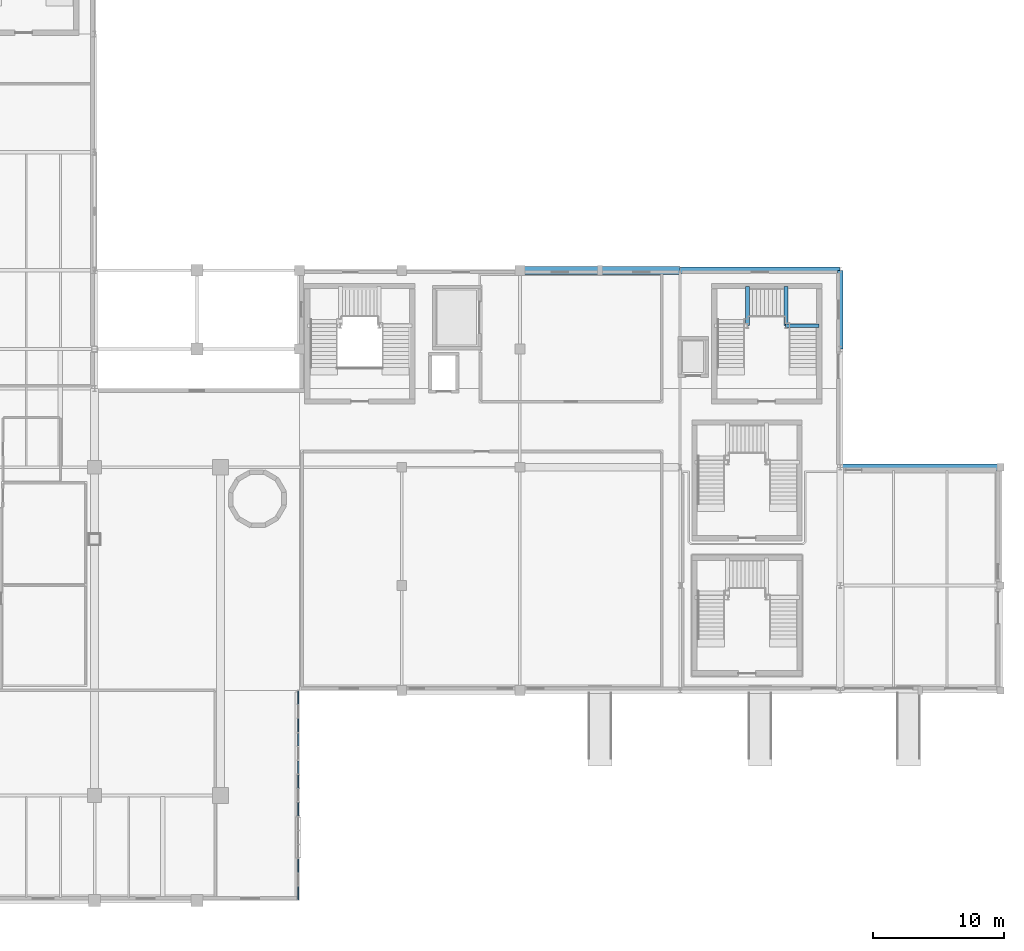
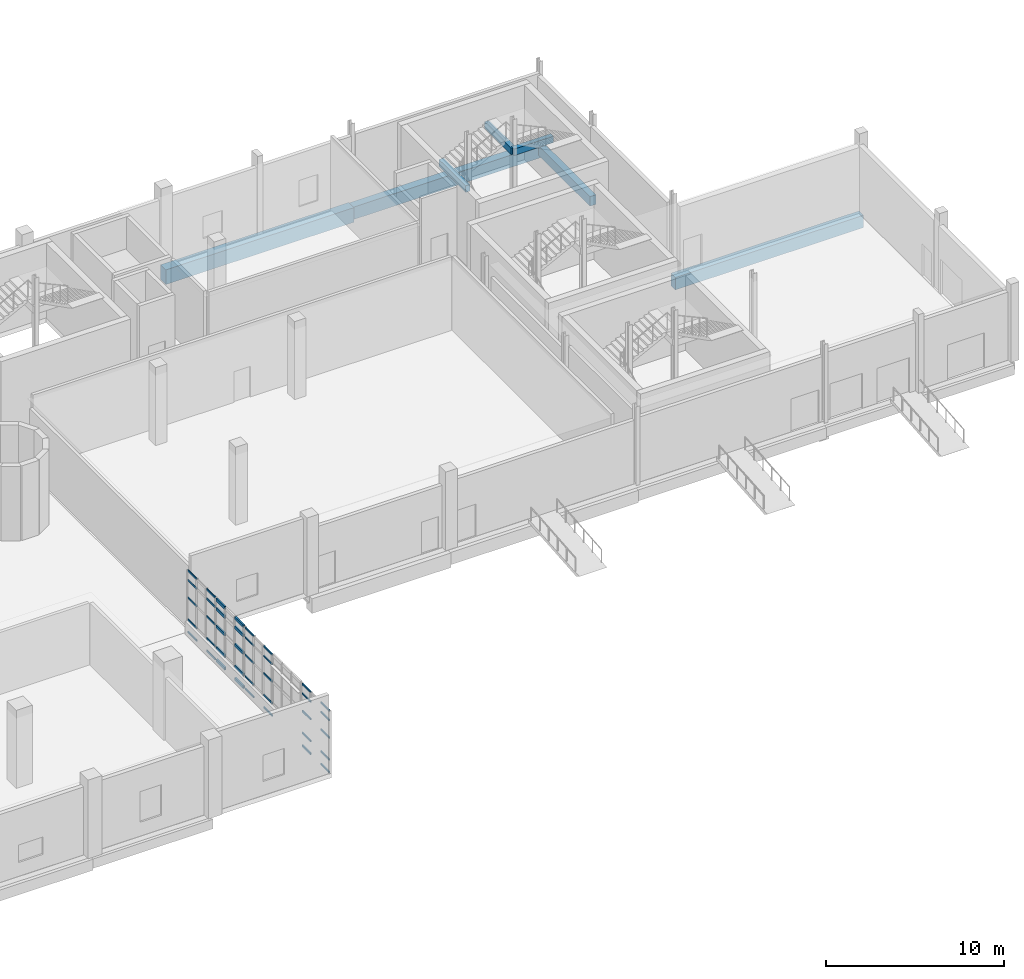
# One storey, part 29 of 57: 40 members, 7 beams, 4 elements without a shape of their own.
"""IFC4 building model written with IfcOpenShell, lengths in metres."""

from ifc_helpers import new_model, si_unit, derived_unit, direction, frame, origin, origin_2d, place, context, subcontext, project, spatial, rectangle, hollow_rectangle, extrude, material, layer, layer_set, material_profile, profile_set, type_object, element, aggregate, save


model = new_model("IFC4")

# Units and contexts
model_context = context("Model", 3, precision=1e-05, world=origin(), true_north=direction((0.0, 1.0)))
body_context = subcontext(model_context, "Body", "Model", "MODEL_VIEW")
ifc_project = project(units=[si_unit("LENGTHUNIT", "METRE"), si_unit("AREAUNIT", "SQUARE_METRE"), si_unit("VOLUMEUNIT", "CUBIC_METRE"), si_unit("PLANEANGLEUNIT", "RADIAN"), si_unit("MASSUNIT", "GRAM", prefix="KILO"), derived_unit("THERMALTRANSMITTANCEUNIT", [(si_unit("POWERUNIT", "WATT"), 1), (si_unit("LENGTHUNIT", "METRE"), -2), (si_unit("THERMODYNAMICTEMPERATUREUNIT", "KELVIN"), -1)])], contexts=[model_context])

# Site, building, storey
site_placement = place(None, origin())
site = spatial("IfcSite", under=ifc_project, at=site_placement, CompositionType="ELEMENT")
building_placement = place(site_placement, origin())
building = spatial("IfcBuilding", under=site, at=building_placement, Name="Nallur Shell Playhouse", CompositionType="ELEMENT")
storey_placement = place(building_placement, origin())
storey = spatial("IfcBuildingStorey", under=building, at=storey_placement, Name="L01", CompositionType="ELEMENT", Elevation=0.0)

# Beams
ifc_material_1 = material(Name="Concrete M35", Category="concrete")
ifc_material_profile_1 = material_profile(ifc_material_1, rectangle(XDim=0.39990234375, YDim=0.64990234375, at=origin_2d()), Name="RC 400x650")
ifc_profile_set_1 = profile_set([ifc_material_profile_1], Name="Concrete M35")
beam_type_1 = type_object("IfcBeamType", Name="BM-RC-400x650", PredefinedType="BEAM", material=ifc_profile_set_1)
beam_1_placement = place(storey_placement, frame((159.800048828125, 50.0, -0.64501953125), z_axis=(0.0, 1.0, 0.0), x_axis=(-1.0, 0.0, 0.0)))
element("IfcBeam", 1, at=beam_1_placement, inside=storey, type_object=beam_type_1, Name="L01 girder Y-19-175", PredefinedType="BEAM", context=body_context, shape_type="SweptSolid", body=[
    extrude(rectangle(XDim=0.39990234375, YDim=0.64990234375, at=origin_2d()), origin(), (0.0, 0.0, 1.0), 6.0),
])
ifc_material_2 = material(Name="Concrete M40", Category="concrete")
ifc_material_profile_2 = material_profile(ifc_material_2, rectangle(XDim=0.5, YDim=0.85009765625, at=origin_2d()), Name="RC 500x850")
ifc_profile_set_2 = profile_set([ifc_material_profile_2], Name="Concrete M40")
beam_type_2 = type_object("IfcBeamType", Name="BM-RC-500x850", PredefinedType="BEAM", material=ifc_profile_set_2)
for number, where, z_axis, x_axis, name in (
    (2, (159.800048828125, 41.0, -0.7451171875), (1.0, 0.0, 0.0), (0.0, 1.0, 0.0), "L01 girder X-E-45"),
    (3, (147.60009765625, 56.0, -0.7451171875), (1.0, 0.0, 0.0), (0.0, 1.0, 0.0), "L01 girder X-G-61"),
):
    element("IfcBeam", number, at=place(storey_placement, frame(where, z_axis=z_axis, x_axis=x_axis)), inside=storey, type_object=beam_type_2, Name=name, PredefinedType="BEAM", context=body_context, shape_type="SweptSolid", body=[
        extrude(rectangle(XDim=0.5, YDim=0.85009765625, at=origin_2d()), origin(), (0.0, 0.0, 1.0), 12.199951171875),
    ])
ifc_material_profile_3 = material_profile(ifc_material_2, rectangle(XDim=0.60009765625, YDim=1.0, at=origin_2d()), Name="RC 600x1000")
ifc_profile_set_3 = profile_set([ifc_material_profile_3], Name="Concrete M40")
beam_type_3 = type_object("IfcBeamType", Name="BM-RC-600x1000", PredefinedType="BEAM", material=ifc_profile_set_3)
beam_2_placement = place(storey_placement, frame((135.39990234375, 56.0, -0.820068359375), z_axis=(1.0, 0.0, 0.0), x_axis=(0.0, 1.0, 0.0)))
element("IfcBeam", 4, at=beam_2_placement, inside=storey, type_object=beam_type_3, Name="L01 girder X-G-60", PredefinedType="BEAM", context=body_context, shape_type="SweptSolid", body=[
    extrude(rectangle(XDim=0.60009765625, YDim=1.0, at=origin_2d()), origin(), (0.0, 0.0, 1.0), 12.2001953125),
])
ifc_material_profile_4 = material_profile(ifc_material_1, rectangle(XDim=0.300048828125, YDim=0.449951171875, at=origin_2d()), Name="RC 300x450")
ifc_profile_set_4 = profile_set([ifc_material_profile_4], Name="Concrete M35")
beam_type_4 = type_object("IfcBeamType", Name="BM-SPN-300x450", PredefinedType="SPANDREL", material=ifc_profile_set_4)
beam_3_placement = place(storey_placement, frame((152.719970703125, 51.780029296875, 1.580810546875), z_axis=(0.0, 1.0, 0.0), x_axis=(-1.0, 0.0, 0.0)))
element("IfcBeam", 5, at=beam_3_placement, inside=storey, type_object=beam_type_4, Name="Stair ST-05-L01 L1 east bearer beam", PredefinedType="SPANDREL", context=body_context, shape_type="SweptSolid", body=[
    extrude(rectangle(XDim=0.300048828125, YDim=0.449951171875, at=origin_2d()), origin(), (0.0, 0.0, 1.0), 3.0),
])
beam_4_placement = place(storey_placement, frame((155.6201171875, 51.780029296875, 3.12353515625), z_axis=(1.0, 0.0, 0.0), x_axis=(0.0, 1.0, 0.0)))
element("IfcBeam", 6, at=beam_4_placement, inside=storey, type_object=beam_type_4, Name="Stair ST-05-L01 L2 south bearer beam", PredefinedType="SPANDREL", context=body_context, shape_type="SweptSolid", body=[
    extrude(rectangle(XDim=0.300048828125, YDim=0.449951171875, at=origin_2d()), origin(), (0.0, 0.0, 1.0), 2.559814453125),
])
beam_5_placement = place(storey_placement, frame((155.679931640625, 51.780029296875, 3.12353515625), z_axis=(0.0, 1.0, 0.0), x_axis=(-1.0, 0.0, 0.0)))
element("IfcBeam", 7, at=beam_5_placement, inside=storey, type_object=beam_type_4, Name="Stair ST-05-L01 L2 west bearer beam", PredefinedType="SPANDREL", context=body_context, shape_type="SweptSolid", body=[
    extrude(rectangle(XDim=0.300048828125, YDim=0.449951171875, at=origin_2d()), origin(), (0.0, 0.0, 1.0), 3.0),
])

# Curtain wall, members
ifc_material_3 = material(Name="Anodised Aluminium Double-Glazed Facade System", Category="aluminium")
ifc_layer_1 = layer(ifc_material_3, 0.1640625)
ifc_layer_set_1 = layer_set([ifc_layer_1], Name="Anodised Aluminium Double-Glazed Facade System")
curtain_wall_type_1 = type_object("IfcCurtainWallType", Name="CW-UNIT-01", PredefinedType="NOTDEFINED", material=ifc_layer_set_1)
curtain_wall_1_placement = place(storey_placement, origin())
curtain_wall_1 = element("IfcCurtainWall", 8, at=curtain_wall_1_placement, inside=storey, type_object=curtain_wall_type_1, Name="Unitised curtain wall CW-001 (L01)", PredefinedType="NOTDEFINED")
ifc_material_4 = material(Name="Aluminium Alloy 6063-T6 Transom", Category="aluminium")
ifc_material_profile_5 = material_profile(ifc_material_4, hollow_rectangle(XDim=0.06494140625, YDim=0.1201171875, WallThickness=0.00390625, at=origin_2d()), Name="ALU 65x120x4")
ifc_profile_set_5 = profile_set([ifc_material_profile_5], Name="Aluminium Alloy 6063-T6 Transom")
member_type_1 = type_object("IfcMemberType", Name="MB-CW-TRN120", PredefinedType="USERDEFINED", material=ifc_profile_set_5)
member_1_placement = place(storey_placement, frame((118.510009765625, 23.943115234375, 0.032470703125), z_axis=(0.0, -1.0, 0.0), x_axis=(1.0, 0.0, 0.0)))
member_1 = element("IfcMember", 9, at=member_1_placement, type_object=member_type_1, Name="CW-01 transom 1.1", ObjectType="TRANSOM", PredefinedType="USERDEFINED", context=body_context, shape_type="SweptSolid", body=[
    extrude(hollow_rectangle(XDim=0.06494140625, YDim=0.1201171875, WallThickness=0.00390625, at=origin_2d()), origin(), (0.0, 0.0, 1.0), 0.983642578125),
])
member_2_placement = place(storey_placement, frame((118.510009765625, 23.943115234375, 0.89990234375), z_axis=(0.0, -1.0, 0.0), x_axis=(1.0, 0.0, 0.0)))
member_2 = element("IfcMember", 10, at=member_2_placement, type_object=member_type_1, Name="CW-01 transom 1.2", ObjectType="TRANSOM", PredefinedType="USERDEFINED", context=body_context, shape_type="SweptSolid", body=[
    extrude(hollow_rectangle(XDim=0.06494140625, YDim=0.1201171875, WallThickness=0.00390625, at=origin_2d()), origin(), (0.0, 0.0, 1.0), 0.983642578125),
])
member_3_placement = place(storey_placement, frame((118.510009765625, 23.943115234375, 2.39990234375), z_axis=(0.0, -1.0, 0.0), x_axis=(1.0, 0.0, 0.0)))
member_3 = element("IfcMember", 11, at=member_3_placement, type_object=member_type_1, Name="CW-01 transom 1.3", ObjectType="TRANSOM", PredefinedType="USERDEFINED", context=body_context, shape_type="SweptSolid", body=[
    extrude(hollow_rectangle(XDim=0.06494140625, YDim=0.1201171875, WallThickness=0.00390625, at=origin_2d()), origin(), (0.0, 0.0, 1.0), 0.983642578125),
])
member_4_placement = place(storey_placement, frame((118.510009765625, 23.943115234375, 3.60498046875), z_axis=(0.0, -1.0, 0.0), x_axis=(1.0, 0.0, 0.0)))
member_4 = element("IfcMember", 12, at=member_4_placement, type_object=member_type_1, Name="CW-01 transom 1.4", ObjectType="TRANSOM", PredefinedType="USERDEFINED", context=body_context, shape_type="SweptSolid", body=[
    extrude(hollow_rectangle(XDim=0.06494140625, YDim=0.1201171875, WallThickness=0.00390625, at=origin_2d()), origin(), (0.0, 0.0, 1.0), 0.983642578125),
])
member_5_placement = place(storey_placement, frame((118.510009765625, 23.943115234375, 4.25244140625), z_axis=(0.0, -1.0, 0.0), x_axis=(1.0, 0.0, 0.0)))
member_5 = element("IfcMember", 13, at=member_5_placement, type_object=member_type_1, Name="CW-01 transom 1.5", ObjectType="TRANSOM", PredefinedType="USERDEFINED", context=body_context, shape_type="SweptSolid", body=[
    extrude(hollow_rectangle(XDim=0.06494140625, YDim=0.1201171875, WallThickness=0.00390625, at=origin_2d()), origin(), (0.0, 0.0, 1.0), 0.983642578125),
])
member_6_placement = place(storey_placement, frame((118.510009765625, 21.845458984375, 0.032470703125), z_axis=(0.0, -1.0, 0.0), x_axis=(1.0, 0.0, 0.0)))
member_6 = element("IfcMember", 14, at=member_6_placement, type_object=member_type_1, Name="CW-01 transom 3.1", ObjectType="TRANSOM", PredefinedType="USERDEFINED", context=body_context, shape_type="SweptSolid", body=[
    extrude(hollow_rectangle(XDim=0.06494140625, YDim=0.1201171875, WallThickness=0.00390625, at=origin_2d()), origin(), (0.0, 0.0, 1.0), 0.9833984375),
])
member_7_placement = place(storey_placement, frame((118.510009765625, 21.845458984375, 0.89990234375), z_axis=(0.0, -1.0, 0.0), x_axis=(1.0, 0.0, 0.0)))
member_7 = element("IfcMember", 15, at=member_7_placement, type_object=member_type_1, Name="CW-01 transom 3.2", ObjectType="TRANSOM", PredefinedType="USERDEFINED", context=body_context, shape_type="SweptSolid", body=[
    extrude(hollow_rectangle(XDim=0.06494140625, YDim=0.1201171875, WallThickness=0.00390625, at=origin_2d()), origin(), (0.0, 0.0, 1.0), 0.9833984375),
])
member_8_placement = place(storey_placement, frame((118.510009765625, 21.845458984375, 2.39990234375), z_axis=(0.0, -1.0, 0.0), x_axis=(1.0, 0.0, 0.0)))
member_8 = element("IfcMember", 16, at=member_8_placement, type_object=member_type_1, Name="CW-01 transom 3.3", ObjectType="TRANSOM", PredefinedType="USERDEFINED", context=body_context, shape_type="SweptSolid", body=[
    extrude(hollow_rectangle(XDim=0.06494140625, YDim=0.1201171875, WallThickness=0.00390625, at=origin_2d()), origin(), (0.0, 0.0, 1.0), 0.9833984375),
])
member_9_placement = place(storey_placement, frame((118.510009765625, 21.845458984375, 3.60498046875), z_axis=(0.0, -1.0, 0.0), x_axis=(1.0, 0.0, 0.0)))
member_9 = element("IfcMember", 17, at=member_9_placement, type_object=member_type_1, Name="CW-01 transom 3.4", ObjectType="TRANSOM", PredefinedType="USERDEFINED", context=body_context, shape_type="SweptSolid", body=[
    extrude(hollow_rectangle(XDim=0.06494140625, YDim=0.1201171875, WallThickness=0.00390625, at=origin_2d()), origin(), (0.0, 0.0, 1.0), 0.9833984375),
])
member_10_placement = place(storey_placement, frame((118.510009765625, 21.845458984375, 4.25244140625), z_axis=(0.0, -1.0, 0.0), x_axis=(1.0, 0.0, 0.0)))
member_10 = element("IfcMember", 18, at=member_10_placement, type_object=member_type_1, Name="CW-01 transom 3.5", ObjectType="TRANSOM", PredefinedType="USERDEFINED", context=body_context, shape_type="SweptSolid", body=[
    extrude(hollow_rectangle(XDim=0.06494140625, YDim=0.1201171875, WallThickness=0.00390625, at=origin_2d()), origin(), (0.0, 0.0, 1.0), 0.9833984375),
])
aggregate(curtain_wall_1, [member_1, member_2, member_3, member_4, member_5, member_6, member_7, member_8, member_9, member_10])

ifc_layer_2 = layer(ifc_material_3, 0.172119140625)
ifc_layer_set_2 = layer_set([ifc_layer_2], Name="Anodised Aluminium Double-Glazed Facade System")
curtain_wall_type_2 = type_object("IfcCurtainWallType", Name="CW-UNIT-03", PredefinedType="NOTDEFINED", material=ifc_layer_set_2)
curtain_wall_2_placement = place(storey_placement, origin())
curtain_wall_2 = element("IfcCurtainWall", 19, at=curtain_wall_2_placement, inside=storey, type_object=curtain_wall_type_2, Name="Unitised curtain wall CW-003 (L01)", PredefinedType="NOTDEFINED")
member_11_placement = place(storey_placement, frame((118.510009765625, 17.528076171875, 0.032470703125), z_axis=(0.0, -1.0, 0.0), x_axis=(1.0, 0.0, 0.0)))
member_11 = element("IfcMember", 20, at=member_11_placement, type_object=member_type_1, Name="CW-03 transom 1.1", ObjectType="TRANSOM", PredefinedType="USERDEFINED", context=body_context, shape_type="SweptSolid", body=[
    extrude(hollow_rectangle(XDim=0.06494140625, YDim=0.1201171875, WallThickness=0.00390625, at=origin_2d()), origin(), (0.0, 0.0, 1.0), 0.966796875),
])
member_12_placement = place(storey_placement, frame((118.510009765625, 17.528076171875, 0.89990234375), z_axis=(0.0, -1.0, 0.0), x_axis=(1.0, 0.0, 0.0)))
member_12 = element("IfcMember", 21, at=member_12_placement, type_object=member_type_1, Name="CW-03 transom 1.2", ObjectType="TRANSOM", PredefinedType="USERDEFINED", context=body_context, shape_type="SweptSolid", body=[
    extrude(hollow_rectangle(XDim=0.06494140625, YDim=0.1201171875, WallThickness=0.00390625, at=origin_2d()), origin(), (0.0, 0.0, 1.0), 0.966796875),
])
member_13_placement = place(storey_placement, frame((118.510009765625, 17.528076171875, 2.376953125), z_axis=(0.0, -1.0, 0.0), x_axis=(1.0, 0.0, 0.0)))
member_13 = element("IfcMember", 22, at=member_13_placement, type_object=member_type_1, Name="CW-03 transom 1.3", ObjectType="TRANSOM", PredefinedType="USERDEFINED", context=body_context, shape_type="SweptSolid", body=[
    extrude(hollow_rectangle(XDim=0.06494140625, YDim=0.1201171875, WallThickness=0.00390625, at=origin_2d()), origin(), (0.0, 0.0, 1.0), 0.966796875),
])
member_14_placement = place(storey_placement, frame((118.510009765625, 17.528076171875, 3.56494140625), z_axis=(0.0, -1.0, 0.0), x_axis=(1.0, 0.0, 0.0)))
member_14 = element("IfcMember", 23, at=member_14_placement, type_object=member_type_1, Name="CW-03 transom 1.4", ObjectType="TRANSOM", PredefinedType="USERDEFINED", context=body_context, shape_type="SweptSolid", body=[
    extrude(hollow_rectangle(XDim=0.06494140625, YDim=0.1201171875, WallThickness=0.00390625, at=origin_2d()), origin(), (0.0, 0.0, 1.0), 0.966796875),
])
member_15_placement = place(storey_placement, frame((118.510009765625, 17.528076171875, 4.21240234375), z_axis=(0.0, -1.0, 0.0), x_axis=(1.0, 0.0, 0.0)))
member_15 = element("IfcMember", 24, at=member_15_placement, type_object=member_type_1, Name="CW-03 transom 1.5", ObjectType="TRANSOM", PredefinedType="USERDEFINED", context=body_context, shape_type="SweptSolid", body=[
    extrude(hollow_rectangle(XDim=0.06494140625, YDim=0.1201171875, WallThickness=0.00390625, at=origin_2d()), origin(), (0.0, 0.0, 1.0), 0.966796875),
])
member_16_placement = place(storey_placement, frame((118.510009765625, 15.438720703125, 0.032470703125), z_axis=(0.0, -1.0, 0.0), x_axis=(1.0, 0.0, 0.0)))
member_16 = element("IfcMember", 25, at=member_16_placement, type_object=member_type_1, Name="CW-03 transom 3.1", ObjectType="TRANSOM", PredefinedType="USERDEFINED", context=body_context, shape_type="SweptSolid", body=[
    extrude(hollow_rectangle(XDim=0.06494140625, YDim=0.1201171875, WallThickness=0.00390625, at=origin_2d()), origin(), (0.0, 0.0, 1.0), 0.966796875),
])
member_17_placement = place(storey_placement, frame((118.510009765625, 15.438720703125, 0.89990234375), z_axis=(0.0, -1.0, 0.0), x_axis=(1.0, 0.0, 0.0)))
member_17 = element("IfcMember", 26, at=member_17_placement, type_object=member_type_1, Name="CW-03 transom 3.2", ObjectType="TRANSOM", PredefinedType="USERDEFINED", context=body_context, shape_type="SweptSolid", body=[
    extrude(hollow_rectangle(XDim=0.06494140625, YDim=0.1201171875, WallThickness=0.00390625, at=origin_2d()), origin(), (0.0, 0.0, 1.0), 0.966796875),
])
member_18_placement = place(storey_placement, frame((118.510009765625, 15.438720703125, 2.376953125), z_axis=(0.0, -1.0, 0.0), x_axis=(1.0, 0.0, 0.0)))
member_18 = element("IfcMember", 27, at=member_18_placement, type_object=member_type_1, Name="CW-03 transom 3.3", ObjectType="TRANSOM", PredefinedType="USERDEFINED", context=body_context, shape_type="SweptSolid", body=[
    extrude(hollow_rectangle(XDim=0.06494140625, YDim=0.1201171875, WallThickness=0.00390625, at=origin_2d()), origin(), (0.0, 0.0, 1.0), 0.966796875),
])
member_19_placement = place(storey_placement, frame((118.510009765625, 15.438720703125, 3.56494140625), z_axis=(0.0, -1.0, 0.0), x_axis=(1.0, 0.0, 0.0)))
member_19 = element("IfcMember", 28, at=member_19_placement, type_object=member_type_1, Name="CW-03 transom 3.4", ObjectType="TRANSOM", PredefinedType="USERDEFINED", context=body_context, shape_type="SweptSolid", body=[
    extrude(hollow_rectangle(XDim=0.06494140625, YDim=0.1201171875, WallThickness=0.00390625, at=origin_2d()), origin(), (0.0, 0.0, 1.0), 0.966796875),
])
member_20_placement = place(storey_placement, frame((118.510009765625, 15.438720703125, 4.21240234375), z_axis=(0.0, -1.0, 0.0), x_axis=(1.0, 0.0, 0.0)))
member_20 = element("IfcMember", 29, at=member_20_placement, type_object=member_type_1, Name="CW-03 transom 3.5", ObjectType="TRANSOM", PredefinedType="USERDEFINED", context=body_context, shape_type="SweptSolid", body=[
    extrude(hollow_rectangle(XDim=0.06494140625, YDim=0.1201171875, WallThickness=0.00390625, at=origin_2d()), origin(), (0.0, 0.0, 1.0), 0.966796875),
])
aggregate(curtain_wall_2, [member_11, member_12, member_13, member_14, member_15, member_16, member_17, member_18, member_19, member_20])

ifc_layer_3 = layer(ifc_material_3, 0.179931640625)
ifc_layer_set_3 = layer_set([ifc_layer_3], Name="Anodised Aluminium Double-Glazed Facade System")
curtain_wall_type_3 = type_object("IfcCurtainWallType", Name="CW-UNIT-05", PredefinedType="NOTDEFINED", material=ifc_layer_set_3)
curtain_wall_3_placement = place(storey_placement, origin())
curtain_wall_3 = element("IfcCurtainWall", 30, at=curtain_wall_3_placement, inside=storey, type_object=curtain_wall_type_3, Name="Unitised curtain wall CW-005 (L01)", PredefinedType="NOTDEFINED")
member_21_placement = place(storey_placement, frame((118.510009765625, 11.123046875, 0.032470703125), z_axis=(0.0, -1.0, 0.0), x_axis=(1.0, 0.0, 0.0)))
member_21 = element("IfcMember", 31, at=member_21_placement, type_object=member_type_1, Name="CW-05 transom 1.1", ObjectType="TRANSOM", PredefinedType="USERDEFINED", context=body_context, shape_type="SweptSolid", body=[
    extrude(hollow_rectangle(XDim=0.06494140625, YDim=0.1201171875, WallThickness=0.00390625, at=origin_2d()), origin(), (0.0, 0.0, 1.0), 0.9609375),
])
member_22_placement = place(storey_placement, frame((118.510009765625, 11.123046875, 0.89990234375), z_axis=(0.0, -1.0, 0.0), x_axis=(1.0, 0.0, 0.0)))
member_22 = element("IfcMember", 32, at=member_22_placement, type_object=member_type_1, Name="CW-05 transom 1.2", ObjectType="TRANSOM", PredefinedType="USERDEFINED", context=body_context, shape_type="SweptSolid", body=[
    extrude(hollow_rectangle(XDim=0.06494140625, YDim=0.1201171875, WallThickness=0.00390625, at=origin_2d()), origin(), (0.0, 0.0, 1.0), 0.9609375),
])
member_23_placement = place(storey_placement, frame((118.510009765625, 11.123046875, 2.39990234375), z_axis=(0.0, -1.0, 0.0), x_axis=(1.0, 0.0, 0.0)))
member_23 = element("IfcMember", 33, at=member_23_placement, type_object=member_type_1, Name="CW-05 transom 1.3", ObjectType="TRANSOM", PredefinedType="USERDEFINED", context=body_context, shape_type="SweptSolid", body=[
    extrude(hollow_rectangle(XDim=0.06494140625, YDim=0.1201171875, WallThickness=0.00390625, at=origin_2d()), origin(), (0.0, 0.0, 1.0), 0.9609375),
])
member_24_placement = place(storey_placement, frame((118.510009765625, 11.123046875, 3.60498046875), z_axis=(0.0, -1.0, 0.0), x_axis=(1.0, 0.0, 0.0)))
member_24 = element("IfcMember", 34, at=member_24_placement, type_object=member_type_1, Name="CW-05 transom 1.4", ObjectType="TRANSOM", PredefinedType="USERDEFINED", context=body_context, shape_type="SweptSolid", body=[
    extrude(hollow_rectangle(XDim=0.06494140625, YDim=0.1201171875, WallThickness=0.00390625, at=origin_2d()), origin(), (0.0, 0.0, 1.0), 0.9609375),
])
member_25_placement = place(storey_placement, frame((118.510009765625, 11.123046875, 4.25244140625), z_axis=(0.0, -1.0, 0.0), x_axis=(1.0, 0.0, 0.0)))
member_25 = element("IfcMember", 35, at=member_25_placement, type_object=member_type_1, Name="CW-05 transom 1.5", ObjectType="TRANSOM", PredefinedType="USERDEFINED", context=body_context, shape_type="SweptSolid", body=[
    extrude(hollow_rectangle(XDim=0.06494140625, YDim=0.1201171875, WallThickness=0.00390625, at=origin_2d()), origin(), (0.0, 0.0, 1.0), 0.9609375),
])
member_26_placement = place(storey_placement, frame((118.510009765625, 9.032958984375, 0.032470703125), z_axis=(0.0, -1.0, 0.0), x_axis=(1.0, 0.0, 0.0)))
member_26 = element("IfcMember", 36, at=member_26_placement, type_object=member_type_1, Name="CW-05 transom 3.1", ObjectType="TRANSOM", PredefinedType="USERDEFINED", context=body_context, shape_type="SweptSolid", body=[
    extrude(hollow_rectangle(XDim=0.06494140625, YDim=0.1201171875, WallThickness=0.00390625, at=origin_2d()), origin(), (0.0, 0.0, 1.0), 0.9609375),
])
member_27_placement = place(storey_placement, frame((118.510009765625, 9.032958984375, 0.89990234375), z_axis=(0.0, -1.0, 0.0), x_axis=(1.0, 0.0, 0.0)))
member_27 = element("IfcMember", 37, at=member_27_placement, type_object=member_type_1, Name="CW-05 transom 3.2", ObjectType="TRANSOM", PredefinedType="USERDEFINED", context=body_context, shape_type="SweptSolid", body=[
    extrude(hollow_rectangle(XDim=0.06494140625, YDim=0.1201171875, WallThickness=0.00390625, at=origin_2d()), origin(), (0.0, 0.0, 1.0), 0.9609375),
])
member_28_placement = place(storey_placement, frame((118.510009765625, 9.032958984375, 2.39990234375), z_axis=(0.0, -1.0, 0.0), x_axis=(1.0, 0.0, 0.0)))
member_28 = element("IfcMember", 38, at=member_28_placement, type_object=member_type_1, Name="CW-05 transom 3.3", ObjectType="TRANSOM", PredefinedType="USERDEFINED", context=body_context, shape_type="SweptSolid", body=[
    extrude(hollow_rectangle(XDim=0.06494140625, YDim=0.1201171875, WallThickness=0.00390625, at=origin_2d()), origin(), (0.0, 0.0, 1.0), 0.9609375),
])
member_29_placement = place(storey_placement, frame((118.510009765625, 9.032958984375, 3.60498046875), z_axis=(0.0, -1.0, 0.0), x_axis=(1.0, 0.0, 0.0)))
member_29 = element("IfcMember", 39, at=member_29_placement, type_object=member_type_1, Name="CW-05 transom 3.4", ObjectType="TRANSOM", PredefinedType="USERDEFINED", context=body_context, shape_type="SweptSolid", body=[
    extrude(hollow_rectangle(XDim=0.06494140625, YDim=0.1201171875, WallThickness=0.00390625, at=origin_2d()), origin(), (0.0, 0.0, 1.0), 0.9609375),
])
member_30_placement = place(storey_placement, frame((118.510009765625, 9.032958984375, 4.25244140625), z_axis=(0.0, -1.0, 0.0), x_axis=(1.0, 0.0, 0.0)))
member_30 = element("IfcMember", 40, at=member_30_placement, type_object=member_type_1, Name="CW-05 transom 3.5", ObjectType="TRANSOM", PredefinedType="USERDEFINED", context=body_context, shape_type="SweptSolid", body=[
    extrude(hollow_rectangle(XDim=0.06494140625, YDim=0.1201171875, WallThickness=0.00390625, at=origin_2d()), origin(), (0.0, 0.0, 1.0), 0.9609375),
])
aggregate(curtain_wall_3, [member_21, member_22, member_23, member_24, member_25, member_26, member_27, member_28, member_29, member_30])

ifc_layer_4 = layer(ifc_material_3, 0.16796875)
ifc_layer_set_4 = layer_set([ifc_layer_4], Name="Anodised Aluminium Double-Glazed Facade System")
curtain_wall_type_4 = type_object("IfcCurtainWallType", Name="CW-UNIT-02", PredefinedType="NOTDEFINED", material=ifc_layer_set_4)
curtain_wall_4_placement = place(storey_placement, origin())
curtain_wall_4 = element("IfcCurtainWall", 41, at=curtain_wall_4_placement, inside=storey, type_object=curtain_wall_type_4, Name="Unitised curtain wall CW-002 (L01)", PredefinedType="NOTDEFINED")
ifc_material_profile_6 = material_profile(ifc_material_4, hollow_rectangle(XDim=0.10009765625, YDim=0.199951171875, WallThickness=0.008056640625, at=origin_2d()), Name="RHS 200x100x8")
ifc_profile_set_6 = profile_set([ifc_material_profile_6], Name="Aluminium Alloy 6063-T6 Transom")
member_type_2 = type_object("IfcMemberType", Name="MB-CW-TRN140", PredefinedType="USERDEFINED", material=ifc_profile_set_6)
member_31_placement = place(storey_placement, frame((118.510009765625, 20.722900390625, 0.050048828125), z_axis=(0.0, -1.0, 0.0), x_axis=(1.0, 0.0, 0.0)))
member_31 = element("IfcMember", 42, at=member_31_placement, type_object=member_type_2, Name="CW-02 transom 1.1", ObjectType="TRANSOM", PredefinedType="USERDEFINED", context=body_context, shape_type="SweptSolid", body=[
    extrude(hollow_rectangle(XDim=0.10009765625, YDim=0.199951171875, WallThickness=0.008056640625, at=origin_2d()), origin(), (0.0, 0.0, 1.0), 0.959228515625),
])
member_32_placement = place(storey_placement, frame((118.510009765625, 20.722900390625, 0.89990234375), z_axis=(0.0, -1.0, 0.0), x_axis=(1.0, 0.0, 0.0)))
member_32 = element("IfcMember", 43, at=member_32_placement, type_object=member_type_2, Name="CW-02 transom 1.2", ObjectType="TRANSOM", PredefinedType="USERDEFINED", context=body_context, shape_type="SweptSolid", body=[
    extrude(hollow_rectangle(XDim=0.10009765625, YDim=0.199951171875, WallThickness=0.008056640625, at=origin_2d()), origin(), (0.0, 0.0, 1.0), 0.959228515625),
])
member_33_placement = place(storey_placement, frame((118.510009765625, 20.722900390625, 2.387939453125), z_axis=(0.0, -1.0, 0.0), x_axis=(1.0, 0.0, 0.0)))
member_33 = element("IfcMember", 44, at=member_33_placement, type_object=member_type_2, Name="CW-02 transom 1.3", ObjectType="TRANSOM", PredefinedType="USERDEFINED", context=body_context, shape_type="SweptSolid", body=[
    extrude(hollow_rectangle(XDim=0.10009765625, YDim=0.199951171875, WallThickness=0.008056640625, at=origin_2d()), origin(), (0.0, 0.0, 1.0), 0.959228515625),
])
member_34_placement = place(storey_placement, frame((118.510009765625, 20.722900390625, 3.5849609375), z_axis=(0.0, -1.0, 0.0), x_axis=(1.0, 0.0, 0.0)))
member_34 = element("IfcMember", 45, at=member_34_placement, type_object=member_type_2, Name="CW-02 transom 1.4", ObjectType="TRANSOM", PredefinedType="USERDEFINED", context=body_context, shape_type="SweptSolid", body=[
    extrude(hollow_rectangle(XDim=0.10009765625, YDim=0.199951171875, WallThickness=0.008056640625, at=origin_2d()), origin(), (0.0, 0.0, 1.0), 0.959228515625),
])
member_35_placement = place(storey_placement, frame((118.510009765625, 20.722900390625, 4.215087890625), z_axis=(0.0, -1.0, 0.0), x_axis=(1.0, 0.0, 0.0)))
member_35 = element("IfcMember", 46, at=member_35_placement, type_object=member_type_2, Name="CW-02 transom 1.5", ObjectType="TRANSOM", PredefinedType="USERDEFINED", context=body_context, shape_type="SweptSolid", body=[
    extrude(hollow_rectangle(XDim=0.10009765625, YDim=0.199951171875, WallThickness=0.008056640625, at=origin_2d()), origin(), (0.0, 0.0, 1.0), 0.959228515625),
])
member_36_placement = place(storey_placement, frame((118.510009765625, 18.63623046875, 0.050048828125), z_axis=(0.0, -1.0, 0.0), x_axis=(1.0, 0.0, 0.0)))
member_36 = element("IfcMember", 47, at=member_36_placement, type_object=member_type_2, Name="CW-02 transom 3.1", ObjectType="TRANSOM", PredefinedType="USERDEFINED", context=body_context, shape_type="SweptSolid", body=[
    extrude(hollow_rectangle(XDim=0.10009765625, YDim=0.199951171875, WallThickness=0.008056640625, at=origin_2d()), origin(), (0.0, 0.0, 1.0), 0.959228515625),
])
member_37_placement = place(storey_placement, frame((118.510009765625, 18.63623046875, 0.89990234375), z_axis=(0.0, -1.0, 0.0), x_axis=(1.0, 0.0, 0.0)))
member_37 = element("IfcMember", 48, at=member_37_placement, type_object=member_type_2, Name="CW-02 transom 3.2", ObjectType="TRANSOM", PredefinedType="USERDEFINED", context=body_context, shape_type="SweptSolid", body=[
    extrude(hollow_rectangle(XDim=0.10009765625, YDim=0.199951171875, WallThickness=0.008056640625, at=origin_2d()), origin(), (0.0, 0.0, 1.0), 0.959228515625),
])
member_38_placement = place(storey_placement, frame((118.510009765625, 18.63623046875, 2.387939453125), z_axis=(0.0, -1.0, 0.0), x_axis=(1.0, 0.0, 0.0)))
member_38 = element("IfcMember", 49, at=member_38_placement, type_object=member_type_2, Name="CW-02 transom 3.3", ObjectType="TRANSOM", PredefinedType="USERDEFINED", context=body_context, shape_type="SweptSolid", body=[
    extrude(hollow_rectangle(XDim=0.10009765625, YDim=0.199951171875, WallThickness=0.008056640625, at=origin_2d()), origin(), (0.0, 0.0, 1.0), 0.959228515625),
])
member_39_placement = place(storey_placement, frame((118.510009765625, 18.63623046875, 3.5849609375), z_axis=(0.0, -1.0, 0.0), x_axis=(1.0, 0.0, 0.0)))
member_39 = element("IfcMember", 50, at=member_39_placement, type_object=member_type_2, Name="CW-02 transom 3.4", ObjectType="TRANSOM", PredefinedType="USERDEFINED", context=body_context, shape_type="SweptSolid", body=[
    extrude(hollow_rectangle(XDim=0.10009765625, YDim=0.199951171875, WallThickness=0.008056640625, at=origin_2d()), origin(), (0.0, 0.0, 1.0), 0.959228515625),
])
member_40_placement = place(storey_placement, frame((118.510009765625, 18.63623046875, 4.215087890625), z_axis=(0.0, -1.0, 0.0), x_axis=(1.0, 0.0, 0.0)))
member_40 = element("IfcMember", 51, at=member_40_placement, type_object=member_type_2, Name="CW-02 transom 3.5", ObjectType="TRANSOM", PredefinedType="USERDEFINED", context=body_context, shape_type="SweptSolid", body=[
    extrude(hollow_rectangle(XDim=0.10009765625, YDim=0.199951171875, WallThickness=0.008056640625, at=origin_2d()), origin(), (0.0, 0.0, 1.0), 0.959228515625),
])
aggregate(curtain_wall_4, [member_31, member_32, member_33, member_34, member_35, member_36, member_37, member_38, member_39, member_40])

save(model, "model.ifc")
